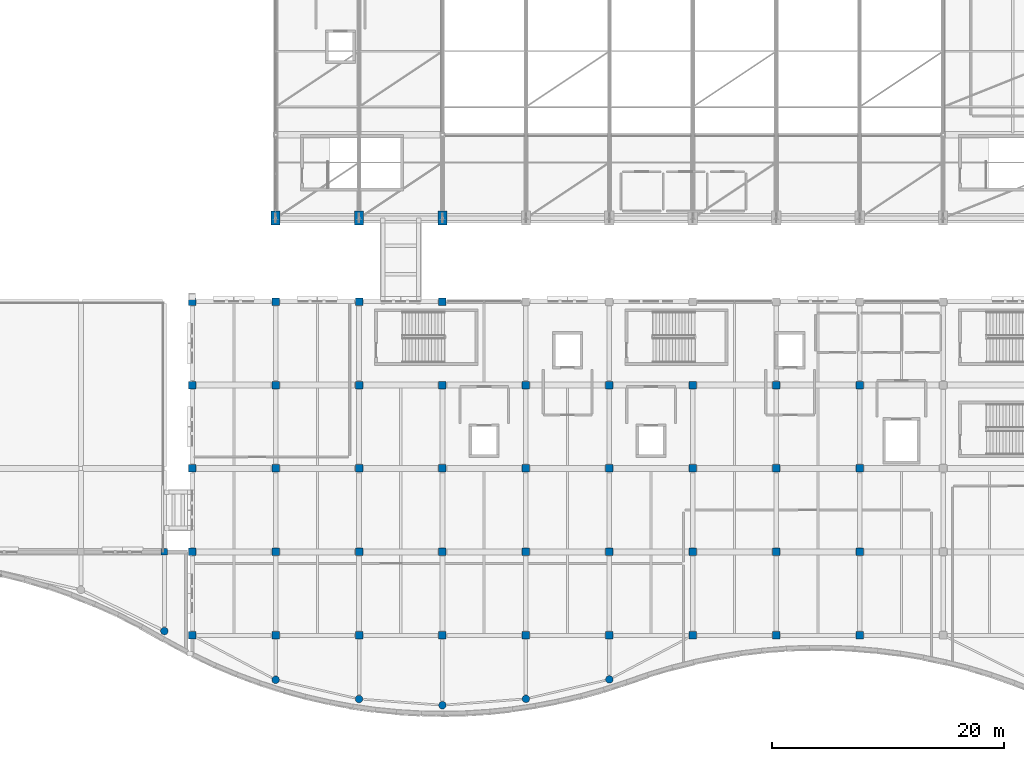
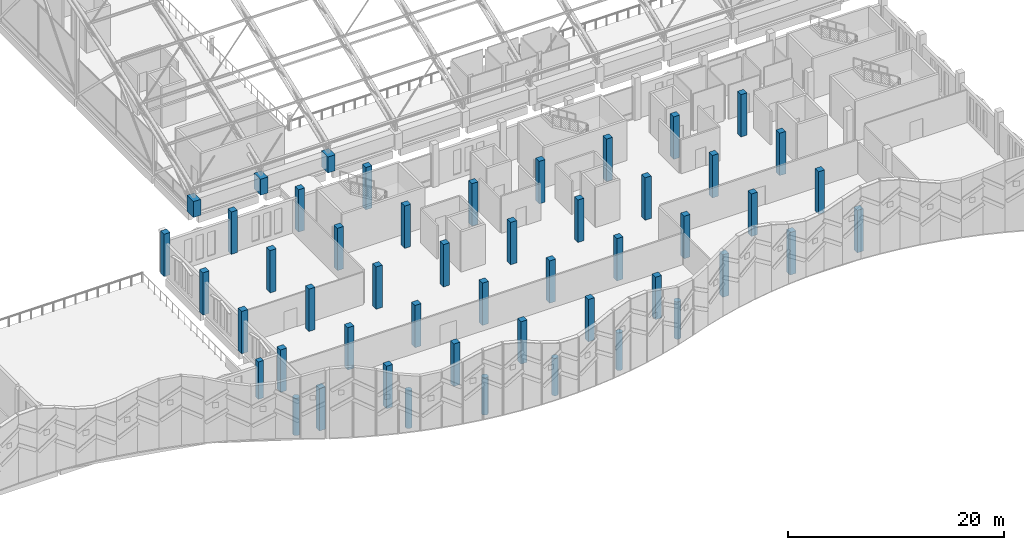
# One storey, part 3 of 116: 50 columns.
"""IFC4 building model written with IfcOpenShell, lengths in metres."""

from ifc_helpers import new_model, si_unit, direction, frame, origin, origin_2d, place, context, subcontext, project, spatial, rectangle, circle, extrude, material, material_profile, profile_set, type_object, element, save


model = new_model("IFC4")

# Units and contexts
model_context = context("Model", 3, precision=1e-05, world=origin(), true_north=direction((0.0, 1.0)))
body_context = subcontext(model_context, "Body", "Model", "MODEL_VIEW")
ifc_project = project(units=[si_unit("LENGTHUNIT", "METRE"), si_unit("AREAUNIT", "SQUARE_METRE"), si_unit("VOLUMEUNIT", "CUBIC_METRE"), si_unit("PLANEANGLEUNIT", "RADIAN"), si_unit("MASSUNIT", "GRAM", prefix="KILO")], contexts=[model_context])

# Site, building, storey
site_placement = place(None, origin())
site = spatial("IfcSite", under=ifc_project, at=site_placement, CompositionType="ELEMENT")
building_placement = place(site_placement, origin())
building = spatial("IfcBuilding", under=site, at=building_placement, Name="Cendralis Lancet Convention Centre", CompositionType="ELEMENT")
storey_placement = place(building_placement, frame((0.0, 0.0, 15.0)))
storey = spatial("IfcBuildingStorey", under=building, at=storey_placement, Name="L03", CompositionType="ELEMENT", Elevation=15.0)

# Columns
ifc_material = material(Name="Concrete G40 (C40/50)", Category="concrete")
ifc_material_profile_1 = material_profile(ifc_material, rectangle(XDim=0.64990234375, YDim=0.64990234375, at=origin_2d()), Name="RC 650x650")
ifc_profile_set_1 = profile_set([ifc_material_profile_1], Name="Concrete G40 (C40/50)")
column_type_1 = type_object("IfcColumnType", Name="STR-COL-C08", PredefinedType="COLUMN", material=ifc_profile_set_1)
for number, where, z_axis, x_axis, name in (
    (1, (132.0, 7.199951171875, 0.0), (0.0, 0.0, 1.0), (1.0, 0.0, 0.0), "L03 Column C08 at 132.0,7.2"),
    (2, (132.0, 14.39990234375, 0.0), (0.0, 0.0, 1.0), (1.0, 0.0, 0.0), "L03 Column C08 at 132.0,14.4"),
    (3, (132.0, 21.60009765625, 0.0), (0.0, 0.0, 1.0), (1.0, 0.0, 0.0), "L03 Column C08 at 132.0,21.6"),
    (4, (132.0, 28.800048828125, 0.0), (0.0, 0.0, 1.0), (1.0, 0.0, 0.0), "L03 Column C08 at 132.0,28.8"),
    (5, (132.0, 36.0, 0.0), (0.0, 0.0, 1.0), (1.0, 0.0, 0.0), "L03 Column C08 at 132.0,36.0"),
    (6, (139.199951171875, 36.0, 0.0), (0.0, 0.0, 1.0), (1.0, 0.0, 0.0), "L03 Column C08 at 139.2,36.0"),
    (7, (146.39990234375, 36.0, 0.0), (0.0, 0.0, 1.0), (1.0, 0.0, 0.0), "L03 Column C08 at 146.4,36.0"),
    (8, (153.60009765625, 36.0, 0.0), (0.0, 0.0, 1.0), (1.0, 0.0, 0.0), "L03 Column C08 at 153.6,36.0"),
):
    element("IfcColumn", number, at=place(storey_placement, frame(where, z_axis=z_axis, x_axis=x_axis)), inside=storey, type_object=column_type_1, Name=name, PredefinedType="COLUMN", context=body_context, shape_type="SweptSolid", body=[
        extrude(rectangle(XDim=0.64990234375, YDim=0.64990234375, at=origin_2d()), origin(), (0.0, 0.0, 1.0), 4.800048828125),
    ])
ifc_material_profile_2 = material_profile(ifc_material, rectangle(XDim=0.64990234375, YDim=0.64990234375, at=origin_2d()), Name="RC 650x650")
ifc_profile_set_2 = profile_set([ifc_material_profile_2], Name="Concrete G40 (C40/50)")
column_type_2 = type_object("IfcColumnType", Name="STR-COL-C08-INT", PredefinedType="COLUMN", material=ifc_profile_set_2)
for number, where, z_axis, x_axis, name in (
    (9, (139.199951171875, 7.199951171875, 0.0), (0.0, 0.0, 1.0), (1.0, 0.0, 0.0), "L03 Column C08 at 139.2,7.2"),
    (10, (139.199951171875, 14.39990234375, 0.0), (0.0, 0.0, 1.0), (1.0, 0.0, 0.0), "L03 Column C08 at 139.2,14.4"),
    (11, (139.199951171875, 21.60009765625, 0.0), (0.0, 0.0, 1.0), (1.0, 0.0, 0.0), "L03 Column C08 at 139.2,21.6"),
    (12, (139.199951171875, 28.800048828125, 0.0), (0.0, 0.0, 1.0), (1.0, 0.0, 0.0), "L03 Column C08 at 139.2,28.8"),
    (13, (146.39990234375, 7.199951171875, 0.0), (0.0, 0.0, 1.0), (1.0, 0.0, 0.0), "L03 Column C08 at 146.4,7.2"),
    (14, (146.39990234375, 14.39990234375, 0.0), (0.0, 0.0, 1.0), (1.0, 0.0, 0.0), "L03 Column C08 at 146.4,14.4"),
    (15, (146.39990234375, 21.60009765625, 0.0), (0.0, 0.0, 1.0), (1.0, 0.0, 0.0), "L03 Column C08 at 146.4,21.6"),
    (16, (146.39990234375, 28.800048828125, 0.0), (0.0, 0.0, 1.0), (1.0, 0.0, 0.0), "L03 Column C08 at 146.4,28.8"),
    (17, (153.60009765625, 7.199951171875, 0.0), (0.0, 0.0, 1.0), (1.0, 0.0, 0.0), "L03 Column C08 at 153.6,7.2"),
    (18, (153.60009765625, 14.39990234375, 0.0), (0.0, 0.0, 1.0), (1.0, 0.0, 0.0), "L03 Column C08 at 153.6,14.4"),
    (19, (153.60009765625, 21.60009765625, 0.0), (0.0, 0.0, 1.0), (1.0, 0.0, 0.0), "L03 Column C08 at 153.6,21.6"),
    (20, (153.60009765625, 28.800048828125, 0.0), (0.0, 0.0, 1.0), (1.0, 0.0, 0.0), "L03 Column C08 at 153.6,28.8"),
    (21, (160.800048828125, 7.199951171875, 0.0), (0.0, 0.0, 1.0), (1.0, 0.0, 0.0), "L03 Column C08 at 160.8,7.2"),
    (22, (160.800048828125, 14.39990234375, 0.0), (0.0, 0.0, 1.0), (1.0, 0.0, 0.0), "L03 Column C08 at 160.8,14.4"),
    (23, (160.800048828125, 21.60009765625, 0.0), (0.0, 0.0, 1.0), (1.0, 0.0, 0.0), "L03 Column C08 at 160.8,21.6"),
    (24, (160.800048828125, 28.800048828125, 0.0), (0.0, 0.0, 1.0), (1.0, 0.0, 0.0), "L03 Column C08 at 160.8,28.8"),
    (25, (168.0, 7.199951171875, 0.0), (0.0, 0.0, 1.0), (1.0, 0.0, 0.0), "L03 Column C08 at 168.0,7.2"),
    (26, (168.0, 14.39990234375, 0.0), (0.0, 0.0, 1.0), (1.0, 0.0, 0.0), "L03 Column C08 at 168.0,14.4"),
    (27, (168.0, 21.60009765625, 0.0), (0.0, 0.0, 1.0), (1.0, 0.0, 0.0), "L03 Column C08 at 168.0,21.6"),
    (28, (168.0, 28.800048828125, 0.0), (0.0, 0.0, 1.0), (1.0, 0.0, 0.0), "L03 Column C08 at 168.0,28.8"),
    (29, (175.199951171875, 7.199951171875, 0.0), (0.0, 0.0, 1.0), (1.0, 0.0, 0.0), "L03 Column C08 at 175.2,7.2"),
    (30, (175.199951171875, 14.39990234375, 0.0), (0.0, 0.0, 1.0), (1.0, 0.0, 0.0), "L03 Column C08 at 175.2,14.4"),
    (31, (175.199951171875, 21.60009765625, 0.0), (0.0, 0.0, 1.0), (1.0, 0.0, 0.0), "L03 Column C08 at 175.2,21.6"),
    (32, (175.199951171875, 28.800048828125, 0.0), (0.0, 0.0, 1.0), (1.0, 0.0, 0.0), "L03 Column C08 at 175.2,28.8"),
    (33, (182.39990234375, 7.199951171875, 0.0), (0.0, 0.0, 1.0), (1.0, 0.0, 0.0), "L03 Column C08 at 182.4,7.2"),
    (34, (182.39990234375, 14.39990234375, 0.0), (0.0, 0.0, 1.0), (1.0, 0.0, 0.0), "L03 Column C08 at 182.4,14.4"),
    (35, (182.39990234375, 21.60009765625, 0.0), (0.0, 0.0, 1.0), (1.0, 0.0, 0.0), "L03 Column C08 at 182.4,21.6"),
    (36, (182.39990234375, 28.800048828125, 0.0), (0.0, 0.0, 1.0), (1.0, 0.0, 0.0), "L03 Column C08 at 182.4,28.8"),
    (37, (189.60009765625, 7.199951171875, 0.0), (0.0, 0.0, 1.0), (1.0, 0.0, 0.0), "L03 Column C08 at 189.6,7.2"),
    (38, (189.60009765625, 14.39990234375, 0.0), (0.0, 0.0, 1.0), (1.0, 0.0, 0.0), "L03 Column C08 at 189.6,14.4"),
    (39, (189.60009765625, 21.60009765625, 0.0), (0.0, 0.0, 1.0), (1.0, 0.0, 0.0), "L03 Column C08 at 189.6,21.6"),
    (40, (189.60009765625, 28.800048828125, 0.0), (0.0, 0.0, 1.0), (1.0, 0.0, 0.0), "L03 Column C08 at 189.6,28.8"),
):
    element("IfcColumn", number, at=place(storey_placement, frame(where, z_axis=z_axis, x_axis=x_axis)), inside=storey, type_object=column_type_2, Name=name, PredefinedType="COLUMN", context=body_context, shape_type="SweptSolid", body=[
        extrude(rectangle(XDim=0.64990234375, YDim=0.64990234375, at=origin_2d()), origin(), (0.0, 0.0, 1.0), 4.800048828125),
    ])
ifc_material_profile_3 = material_profile(ifc_material, rectangle(XDim=0.550048828125, YDim=0.550048828125, at=origin_2d()), Name="RC 550x550")
ifc_profile_set_3 = profile_set([ifc_material_profile_3], Name="Concrete G40 (C40/50)")
column_type_3 = type_object("IfcColumnType", Name="STR-COL-C10", PredefinedType="COLUMN", material=ifc_profile_set_3)
column_placement = place(storey_placement, frame((129.60009765625, 14.39990234375, 0.0), z_axis=(0.0, 0.0, 1.0), x_axis=(1.0, 0.0, 0.0)))
element("IfcColumn", 41, at=column_placement, inside=storey, type_object=column_type_3, Name="L03 Column C10 at 129.6,14.4", PredefinedType="COLUMN", context=body_context, shape_type="SweptSolid", body=[
    extrude(rectangle(XDim=0.550048828125, YDim=0.550048828125, at=origin_2d()), origin(), (0.0, 0.0, 1.0), 4.22998046875),
])
ifc_material_profile_4 = material_profile(ifc_material, rectangle(XDim=0.800048828125, YDim=1.199951171875, at=origin_2d()), Name="RC 800x1200")
ifc_profile_set_4 = profile_set([ifc_material_profile_4], Name="Concrete G40 (C40/50)")
column_type_4 = type_object("IfcColumnType", Name="STR-COL-C15", PredefinedType="COLUMN", material=ifc_profile_set_4)
for number, where, z_axis, x_axis, name in (
    (42, (139.199951171875, 43.199951171875, 0.0), (0.0, 0.0, 1.0), (1.0, 0.0, 0.0), "L03 Column C15 at 139.2,43.2"),
    (43, (146.39990234375, 43.199951171875, 0.0), (0.0, 0.0, 1.0), (1.0, 0.0, 0.0), "L03 Column C15 at 146.4,43.2"),
    (44, (153.60009765625, 43.199951171875, 0.0), (0.0, 0.0, 1.0), (1.0, 0.0, 0.0), "L03 Column C15 at 153.6,43.2"),
):
    element("IfcColumn", number, at=place(storey_placement, frame(where, z_axis=z_axis, x_axis=x_axis)), inside=storey, type_object=column_type_4, Name=name, PredefinedType="COLUMN", context=body_context, shape_type="SweptSolid", body=[
        extrude(rectangle(XDim=0.800048828125, YDim=1.199951171875, at=origin_2d()), origin(), (0.0, 0.0, 1.0), 1.800048828125),
    ])
ifc_material_profile_5 = material_profile(ifc_material, circle(Radius=0.324951171875, at=origin_2d()), Name="RC D650")
ifc_profile_set_5 = profile_set([ifc_material_profile_5], Name="Concrete G40 (C40/50)")
column_type_5 = type_object("IfcColumnType", Name="STR-COL-C19", PredefinedType="COLUMN", material=ifc_profile_set_5)
for number, where, z_axis, x_axis, name in (
    (45, (139.199951171875, 3.36572265625, 0.0), (0.0, 0.0, 1.0), (1.0, 0.0, 0.0), "L03 Column C19 at 139.2,3.4"),
    (46, (146.39990234375, 1.705810546875, 0.0), (0.0, 0.0, 1.0), (1.0, 0.0, 0.0), "L03 Column C19 at 146.4,1.7"),
    (47, (153.60009765625, 1.169921875, 0.0), (0.0, 0.0, 1.0), (1.0, 0.0, 0.0), "L03 Column C19 at 153.6,1.2"),
    (48, (160.800048828125, 1.720458984375, 0.0), (0.0, 0.0, 1.0), (1.0, 0.0, 0.0), "L03 Column C19 at 160.8,1.7"),
    (49, (168.0, 3.396240234375, 0.0), (0.0, 0.0, 1.0), (1.0, 0.0, 0.0), "L03 Column C19 at 168.0,3.4"),
    (50, (129.60009765625, 7.57275390625, 0.0), (0.0, 0.0, 1.0), (1.0, 0.0, 0.0), "L03 Column C19 at 129.6,7.6"),
):
    element("IfcColumn", number, at=place(storey_placement, frame(where, z_axis=z_axis, x_axis=x_axis)), inside=storey, type_object=column_type_5, Name=name, PredefinedType="COLUMN", context=body_context, shape_type="SweptSolid", body=[
        extrude(circle(Radius=0.324951171875, at=origin_2d()), origin(), (0.0, 0.0, 1.0), 4.22998046875),
    ])

save(model, "model.ifc")
